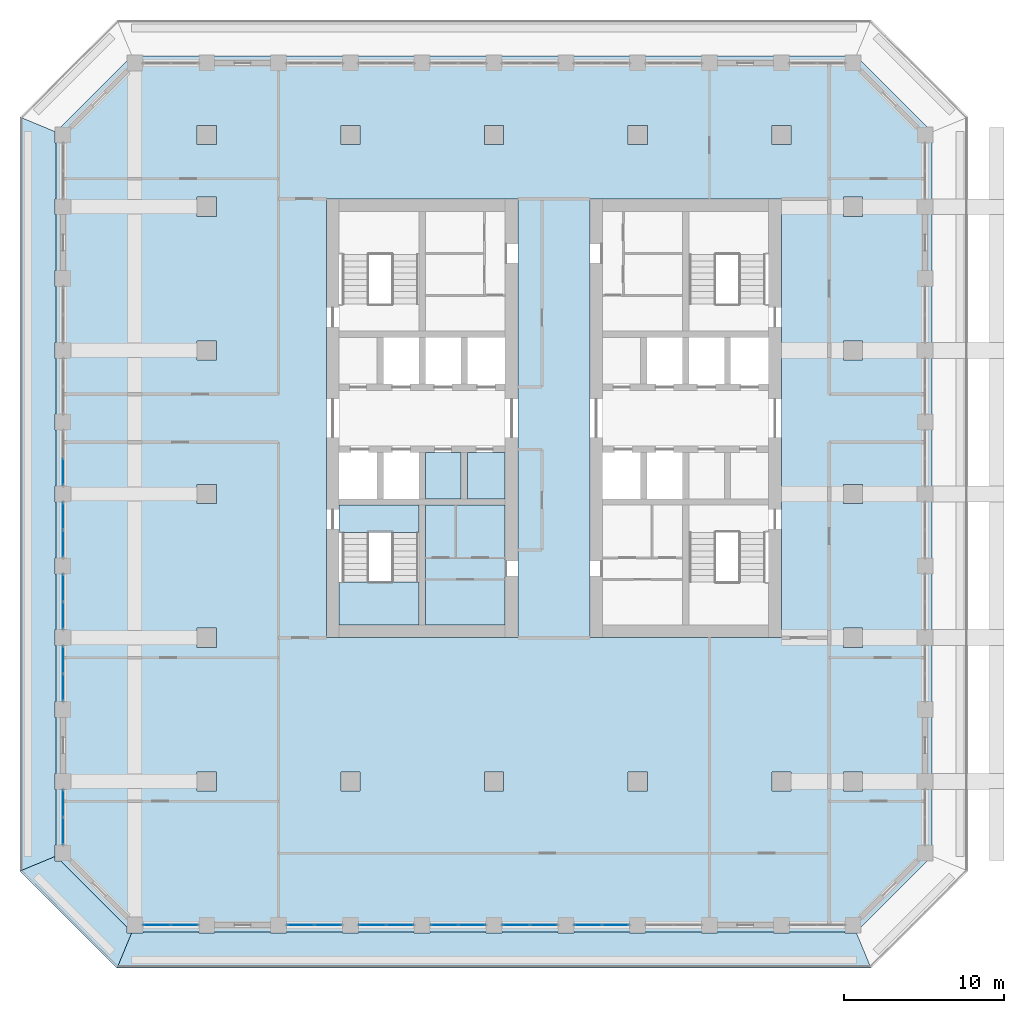
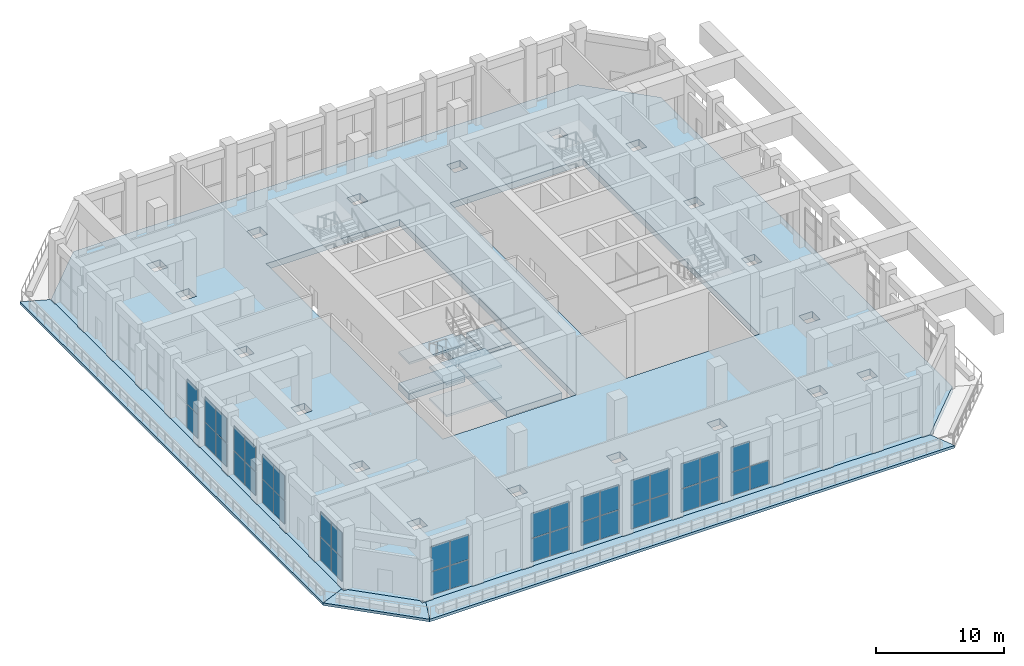
# One storey, part 10 of 25: 41 plates, 11 slabs, 12 elements without a shape of their own.
"""IFC4 building model written with IfcOpenShell, lengths in metres."""

from ifc_helpers import new_model, si_unit, direction, frame, origin, origin_2d, place, context, subcontext, project, spatial, polyline, rectangle, outline, extrude, material, layer, layer_set, type_object, element, aggregate, save


model = new_model("IFC4")

# Units and contexts
model_context = context("Model", 3, precision=1e-05, world=origin(), true_north=direction((0.0, 1.0)))
body_context = subcontext(model_context, "Body", "Model", "MODEL_VIEW")
ifc_project = project(units=[si_unit("LENGTHUNIT", "METRE"), si_unit("AREAUNIT", "SQUARE_METRE"), si_unit("VOLUMEUNIT", "CUBIC_METRE"), si_unit("PLANEANGLEUNIT", "RADIAN"), si_unit("MASSUNIT", "GRAM", prefix="KILO")], contexts=[model_context])

# Site, building, storey
site_placement = place(None, origin())
site = spatial("IfcSite", under=ifc_project, at=site_placement, CompositionType="ELEMENT")
building_placement = place(site_placement, origin())
building = spatial("IfcBuilding", under=site, at=building_placement, Name="Corbel Stack Research Tower", CompositionType="ELEMENT")
storey_placement = place(building_placement, frame((0.0, 0.0, 185.5)))
storey = spatial("IfcBuildingStorey", under=building, at=storey_placement, Name="L42", CompositionType="ELEMENT", Elevation=185.5)

# Curtain wall, plates
ifc_material_1 = material(Name="Aluminium frame, clear glass", Category="aluminium")
curtain_wall_type = type_object("IfcCurtainWallType", Name="Upper amenity floor curtain wall CW3", PredefinedType="NOTDEFINED", material=ifc_material_1)
curtain_wall_1_placement = place(storey_placement, origin())
curtain_wall_1 = element("IfcCurtainWall", 1, at=curtain_wall_1_placement, inside=storey, type_object=curtain_wall_type, Name="Curtain wall CW3 L42 S01", PredefinedType="NOTDEFINED")
ifc_material_2 = material(Name="Low-emissivity glass", Category="glass")
ifc_layer_1 = layer(ifc_material_2, 0.035888671875)
ifc_layer_set_1 = layer_set([ifc_layer_1], Name="Low-emissivity glass")
plate_type = type_object("IfcPlateType", Name="Low-emissivity glazing 36", PredefinedType="CURTAIN_PANEL", material=ifc_layer_set_1)
plate_1_placement = place(storey_placement, frame((-21.110107421875, -27.0, 0.06005859375), z_axis=(0.0, 0.0, 1.0), x_axis=(1.0, 0.0, 0.0)))
plate_1 = element("IfcPlate", 2, at=plate_1_placement, type_object=plate_type, Name="CW3 panel 1.1", PredefinedType="CURTAIN_PANEL", context=body_context, shape_type="SweptSolid", body=[
    extrude(rectangle(XDim=1.659912109375, YDim=0.035888671875, at=origin_2d()), origin(), (0.0, 0.0, 1.0), 2.2099609375),
])
plate_2_placement = place(storey_placement, frame((-21.110107421875, -27.0, 2.330078125), z_axis=(0.0, 0.0, 1.0), x_axis=(1.0, 0.0, 0.0)))
plate_2 = element("IfcPlate", 3, at=plate_2_placement, type_object=plate_type, Name="CW3 panel 1.2", PredefinedType="CURTAIN_PANEL", context=body_context, shape_type="SweptSolid", body=[
    extrude(rectangle(XDim=1.659912109375, YDim=0.035888671875, at=origin_2d()), origin(), (0.0, 0.0, 1.0), 2.360107421875),
])
plate_3_placement = place(storey_placement, frame((-19.389892578125, -27.0, 0.06005859375), z_axis=(0.0, 0.0, 1.0), x_axis=(1.0, 0.0, 0.0)))
plate_3 = element("IfcPlate", 4, at=plate_3_placement, type_object=plate_type, Name="CW3 panel 2.1", PredefinedType="CURTAIN_PANEL", context=body_context, shape_type="SweptSolid", body=[
    extrude(rectangle(XDim=1.659912109375, YDim=0.035888671875, at=origin_2d()), origin(), (0.0, 0.0, 1.0), 2.2099609375),
])
plate_4_placement = place(storey_placement, frame((-19.389892578125, -27.0, 2.330078125), z_axis=(0.0, 0.0, 1.0), x_axis=(1.0, 0.0, 0.0)))
plate_4 = element("IfcPlate", 5, at=plate_4_placement, type_object=plate_type, Name="CW3 panel 2.2", PredefinedType="CURTAIN_PANEL", context=body_context, shape_type="SweptSolid", body=[
    extrude(rectangle(XDim=1.659912109375, YDim=0.035888671875, at=origin_2d()), origin(), (0.0, 0.0, 1.0), 2.360107421875),
])
aggregate(curtain_wall_1, [plate_1, plate_2, plate_3, plate_4])

curtain_wall_2_placement = place(storey_placement, origin())
curtain_wall_2 = element("IfcCurtainWall", 6, at=curtain_wall_2_placement, inside=storey, type_object=curtain_wall_type, Name="Curtain wall CW3 L42 S03", PredefinedType="NOTDEFINED")
plate_5_placement = place(storey_placement, frame((-12.110107421875, -27.0, 0.06005859375), z_axis=(0.0, 0.0, 1.0), x_axis=(1.0, 0.0, 0.0)))
plate_5 = element("IfcPlate", 7, at=plate_5_placement, type_object=plate_type, Name="CW3 panel 1.1", PredefinedType="CURTAIN_PANEL", context=body_context, shape_type="SweptSolid", body=[
    extrude(rectangle(XDim=1.659912109375, YDim=0.035888671875, at=origin_2d()), origin(), (0.0, 0.0, 1.0), 2.2099609375),
])
plate_6_placement = place(storey_placement, frame((-12.110107421875, -27.0, 2.330078125), z_axis=(0.0, 0.0, 1.0), x_axis=(1.0, 0.0, 0.0)))
plate_6 = element("IfcPlate", 8, at=plate_6_placement, type_object=plate_type, Name="CW3 panel 1.2", PredefinedType="CURTAIN_PANEL", context=body_context, shape_type="SweptSolid", body=[
    extrude(rectangle(XDim=1.659912109375, YDim=0.035888671875, at=origin_2d()), origin(), (0.0, 0.0, 1.0), 2.360107421875),
])
plate_7_placement = place(storey_placement, frame((-10.389892578125, -27.0, 0.06005859375), z_axis=(0.0, 0.0, 1.0), x_axis=(1.0, 0.0, 0.0)))
plate_7 = element("IfcPlate", 9, at=plate_7_placement, type_object=plate_type, Name="CW3 panel 2.1", PredefinedType="CURTAIN_PANEL", context=body_context, shape_type="SweptSolid", body=[
    extrude(rectangle(XDim=1.659912109375, YDim=0.035888671875, at=origin_2d()), origin(), (0.0, 0.0, 1.0), 2.2099609375),
])
plate_8_placement = place(storey_placement, frame((-10.389892578125, -27.0, 2.330078125), z_axis=(0.0, 0.0, 1.0), x_axis=(1.0, 0.0, 0.0)))
plate_8 = element("IfcPlate", 10, at=plate_8_placement, type_object=plate_type, Name="CW3 panel 2.2", PredefinedType="CURTAIN_PANEL", context=body_context, shape_type="SweptSolid", body=[
    extrude(rectangle(XDim=1.659912109375, YDim=0.035888671875, at=origin_2d()), origin(), (0.0, 0.0, 1.0), 2.360107421875),
])
aggregate(curtain_wall_2, [plate_5, plate_6, plate_7, plate_8])

curtain_wall_3_placement = place(storey_placement, origin())
curtain_wall_3 = element("IfcCurtainWall", 11, at=curtain_wall_3_placement, inside=storey, type_object=curtain_wall_type, Name="Curtain wall CW3 L42 S04", PredefinedType="NOTDEFINED")
plate_9_placement = place(storey_placement, frame((-7.610107421875, -27.0, 0.06005859375), z_axis=(0.0, 0.0, 1.0), x_axis=(1.0, 0.0, 0.0)))
plate_9 = element("IfcPlate", 12, at=plate_9_placement, type_object=plate_type, Name="CW3 panel 1.1", PredefinedType="CURTAIN_PANEL", context=body_context, shape_type="SweptSolid", body=[
    extrude(rectangle(XDim=1.659912109375, YDim=0.035888671875, at=origin_2d()), origin(), (0.0, 0.0, 1.0), 2.2099609375),
])
plate_10_placement = place(storey_placement, frame((-7.610107421875, -27.0, 2.330078125), z_axis=(0.0, 0.0, 1.0), x_axis=(1.0, 0.0, 0.0)))
plate_10 = element("IfcPlate", 13, at=plate_10_placement, type_object=plate_type, Name="CW3 panel 1.2", PredefinedType="CURTAIN_PANEL", context=body_context, shape_type="SweptSolid", body=[
    extrude(rectangle(XDim=1.659912109375, YDim=0.035888671875, at=origin_2d()), origin(), (0.0, 0.0, 1.0), 2.360107421875),
])
plate_11_placement = place(storey_placement, frame((-5.889892578125, -27.0, 0.06005859375), z_axis=(0.0, 0.0, 1.0), x_axis=(1.0, 0.0, 0.0)))
plate_11 = element("IfcPlate", 14, at=plate_11_placement, type_object=plate_type, Name="CW3 panel 2.1", PredefinedType="CURTAIN_PANEL", context=body_context, shape_type="SweptSolid", body=[
    extrude(rectangle(XDim=1.659912109375, YDim=0.035888671875, at=origin_2d()), origin(), (0.0, 0.0, 1.0), 2.2099609375),
])
plate_12_placement = place(storey_placement, frame((-5.889892578125, -27.0, 2.330078125), z_axis=(0.0, 0.0, 1.0), x_axis=(1.0, 0.0, 0.0)))
plate_12 = element("IfcPlate", 15, at=plate_12_placement, type_object=plate_type, Name="CW3 panel 2.2", PredefinedType="CURTAIN_PANEL", context=body_context, shape_type="SweptSolid", body=[
    extrude(rectangle(XDim=1.659912109375, YDim=0.035888671875, at=origin_2d()), origin(), (0.0, 0.0, 1.0), 2.360107421875),
])
aggregate(curtain_wall_3, [plate_9, plate_10, plate_11, plate_12])

curtain_wall_4_placement = place(storey_placement, origin())
curtain_wall_4 = element("IfcCurtainWall", 16, at=curtain_wall_4_placement, inside=storey, type_object=curtain_wall_type, Name="Curtain wall CW3 L42 S05", PredefinedType="NOTDEFINED")
plate_13_placement = place(storey_placement, frame((-3.110107421875, -27.0, 0.06005859375), z_axis=(0.0, 0.0, 1.0), x_axis=(1.0, 0.0, 0.0)))
plate_13 = element("IfcPlate", 17, at=plate_13_placement, type_object=plate_type, Name="CW3 panel 1.1", PredefinedType="CURTAIN_PANEL", context=body_context, shape_type="SweptSolid", body=[
    extrude(rectangle(XDim=1.659912109375, YDim=0.035888671875, at=origin_2d()), origin(), (0.0, 0.0, 1.0), 2.2099609375),
])
plate_14_placement = place(storey_placement, frame((-3.110107421875, -27.0, 2.330078125), z_axis=(0.0, 0.0, 1.0), x_axis=(1.0, 0.0, 0.0)))
plate_14 = element("IfcPlate", 18, at=plate_14_placement, type_object=plate_type, Name="CW3 panel 1.2", PredefinedType="CURTAIN_PANEL", context=body_context, shape_type="SweptSolid", body=[
    extrude(rectangle(XDim=1.659912109375, YDim=0.035888671875, at=origin_2d()), origin(), (0.0, 0.0, 1.0), 2.360107421875),
])
plate_15_placement = place(storey_placement, frame((-1.389892578125, -27.0, 0.06005859375), z_axis=(0.0, 0.0, 1.0), x_axis=(1.0, 0.0, 0.0)))
plate_15 = element("IfcPlate", 19, at=plate_15_placement, type_object=plate_type, Name="CW3 panel 2.1", PredefinedType="CURTAIN_PANEL", context=body_context, shape_type="SweptSolid", body=[
    extrude(rectangle(XDim=1.659912109375, YDim=0.035888671875, at=origin_2d()), origin(), (0.0, 0.0, 1.0), 2.2099609375),
])
plate_16_placement = place(storey_placement, frame((-1.389892578125, -27.0, 2.330078125), z_axis=(0.0, 0.0, 1.0), x_axis=(1.0, 0.0, 0.0)))
plate_16 = element("IfcPlate", 20, at=plate_16_placement, type_object=plate_type, Name="CW3 panel 2.2", PredefinedType="CURTAIN_PANEL", context=body_context, shape_type="SweptSolid", body=[
    extrude(rectangle(XDim=1.659912109375, YDim=0.035888671875, at=origin_2d()), origin(), (0.0, 0.0, 1.0), 2.360107421875),
])
aggregate(curtain_wall_4, [plate_13, plate_14, plate_15, plate_16])

curtain_wall_5_placement = place(storey_placement, origin())
curtain_wall_5 = element("IfcCurtainWall", 21, at=curtain_wall_5_placement, inside=storey, type_object=curtain_wall_type, Name="Curtain wall CW3 L42 S06", PredefinedType="NOTDEFINED")
plate_17_placement = place(storey_placement, frame((1.389892578125, -27.0, 0.06005859375), z_axis=(0.0, 0.0, 1.0), x_axis=(1.0, 0.0, 0.0)))
plate_17 = element("IfcPlate", 22, at=plate_17_placement, type_object=plate_type, Name="CW3 panel 1.1", PredefinedType="CURTAIN_PANEL", context=body_context, shape_type="SweptSolid", body=[
    extrude(rectangle(XDim=1.659912109375, YDim=0.035888671875, at=origin_2d()), origin(), (0.0, 0.0, 1.0), 2.2099609375),
])
plate_18_placement = place(storey_placement, frame((1.389892578125, -27.0, 2.330078125), z_axis=(0.0, 0.0, 1.0), x_axis=(1.0, 0.0, 0.0)))
plate_18 = element("IfcPlate", 23, at=plate_18_placement, type_object=plate_type, Name="CW3 panel 1.2", PredefinedType="CURTAIN_PANEL", context=body_context, shape_type="SweptSolid", body=[
    extrude(rectangle(XDim=1.659912109375, YDim=0.035888671875, at=origin_2d()), origin(), (0.0, 0.0, 1.0), 2.360107421875),
])
plate_19_placement = place(storey_placement, frame((3.110107421875, -27.0, 0.06005859375), z_axis=(0.0, 0.0, 1.0), x_axis=(1.0, 0.0, 0.0)))
plate_19 = element("IfcPlate", 24, at=plate_19_placement, type_object=plate_type, Name="CW3 panel 2.1", PredefinedType="CURTAIN_PANEL", context=body_context, shape_type="SweptSolid", body=[
    extrude(rectangle(XDim=1.659912109375, YDim=0.035888671875, at=origin_2d()), origin(), (0.0, 0.0, 1.0), 2.2099609375),
])
plate_20_placement = place(storey_placement, frame((3.110107421875, -27.0, 2.330078125), z_axis=(0.0, 0.0, 1.0), x_axis=(1.0, 0.0, 0.0)))
plate_20 = element("IfcPlate", 25, at=plate_20_placement, type_object=plate_type, Name="CW3 panel 2.2", PredefinedType="CURTAIN_PANEL", context=body_context, shape_type="SweptSolid", body=[
    extrude(rectangle(XDim=1.659912109375, YDim=0.035888671875, at=origin_2d()), origin(), (0.0, 0.0, 1.0), 2.360107421875),
])
aggregate(curtain_wall_5, [plate_17, plate_18, plate_19, plate_20])

curtain_wall_6_placement = place(storey_placement, origin())
curtain_wall_6 = element("IfcCurtainWall", 26, at=curtain_wall_6_placement, inside=storey, type_object=curtain_wall_type, Name="Curtain wall CW3 L42 S07", PredefinedType="NOTDEFINED")
plate_21_placement = place(storey_placement, frame((5.889892578125, -27.0, 0.06005859375), z_axis=(0.0, 0.0, 1.0), x_axis=(1.0, 0.0, 0.0)))
plate_21 = element("IfcPlate", 27, at=plate_21_placement, type_object=plate_type, Name="CW3 panel 1.1", PredefinedType="CURTAIN_PANEL", context=body_context, shape_type="SweptSolid", body=[
    extrude(rectangle(XDim=1.659912109375, YDim=0.035888671875, at=origin_2d()), origin(), (0.0, 0.0, 1.0), 2.2099609375),
])
plate_22_placement = place(storey_placement, frame((5.889892578125, -27.0, 2.330078125), z_axis=(0.0, 0.0, 1.0), x_axis=(1.0, 0.0, 0.0)))
plate_22 = element("IfcPlate", 28, at=plate_22_placement, type_object=plate_type, Name="CW3 panel 1.2", PredefinedType="CURTAIN_PANEL", context=body_context, shape_type="SweptSolid", body=[
    extrude(rectangle(XDim=1.659912109375, YDim=0.035888671875, at=origin_2d()), origin(), (0.0, 0.0, 1.0), 2.360107421875),
])
plate_23_placement = place(storey_placement, frame((7.610107421875, -27.0, 0.06005859375), z_axis=(0.0, 0.0, 1.0), x_axis=(1.0, 0.0, 0.0)))
plate_23 = element("IfcPlate", 29, at=plate_23_placement, type_object=plate_type, Name="CW3 panel 2.1", PredefinedType="CURTAIN_PANEL", context=body_context, shape_type="SweptSolid", body=[
    extrude(rectangle(XDim=1.659912109375, YDim=0.035888671875, at=origin_2d()), origin(), (0.0, 0.0, 1.0), 2.2099609375),
])
aggregate(curtain_wall_6, [plate_21, plate_22, plate_23])

curtain_wall_7_placement = place(storey_placement, origin())
curtain_wall_7 = element("IfcCurtainWall", 30, at=curtain_wall_7_placement, inside=storey, type_object=curtain_wall_type, Name="Curtain wall CW3 L42 W05", PredefinedType="NOTDEFINED")
plate_24_placement = place(storey_placement, frame((-27.0, 1.389892578125, 0.06005859375), z_axis=(0.0, 0.0, 1.0), x_axis=(0.0, -1.0, 0.0)))
plate_24 = element("IfcPlate", 31, at=plate_24_placement, type_object=plate_type, Name="CW3 panel 2.1", PredefinedType="CURTAIN_PANEL", context=body_context, shape_type="SweptSolid", body=[
    extrude(rectangle(XDim=1.659912109375, YDim=0.035888671875, at=origin_2d()), origin(), (0.0, 0.0, 1.0), 2.2099609375),
])
plate_25_placement = place(storey_placement, frame((-27.0, 1.389892578125, 2.330078125), z_axis=(0.0, 0.0, 1.0), x_axis=(0.0, -1.0, 0.0)))
plate_25 = element("IfcPlate", 32, at=plate_25_placement, type_object=plate_type, Name="CW3 panel 2.2", PredefinedType="CURTAIN_PANEL", context=body_context, shape_type="SweptSolid", body=[
    extrude(rectangle(XDim=1.659912109375, YDim=0.035888671875, at=origin_2d()), origin(), (0.0, 0.0, 1.0), 2.360107421875),
])
aggregate(curtain_wall_7, [plate_24, plate_25])

curtain_wall_8_placement = place(storey_placement, origin())
curtain_wall_8 = element("IfcCurtainWall", 33, at=curtain_wall_8_placement, inside=storey, type_object=curtain_wall_type, Name="Curtain wall CW3 L42 W06", PredefinedType="NOTDEFINED")
plate_26_placement = place(storey_placement, frame((-27.0, -1.389892578125, 0.06005859375), z_axis=(0.0, 0.0, 1.0), x_axis=(0.0, -1.0, 0.0)))
plate_26 = element("IfcPlate", 34, at=plate_26_placement, type_object=plate_type, Name="CW3 panel 1.1", PredefinedType="CURTAIN_PANEL", context=body_context, shape_type="SweptSolid", body=[
    extrude(rectangle(XDim=1.659912109375, YDim=0.035888671875, at=origin_2d()), origin(), (0.0, 0.0, 1.0), 2.2099609375),
])
plate_27_placement = place(storey_placement, frame((-27.0, -1.389892578125, 2.330078125), z_axis=(0.0, 0.0, 1.0), x_axis=(0.0, -1.0, 0.0)))
plate_27 = element("IfcPlate", 35, at=plate_27_placement, type_object=plate_type, Name="CW3 panel 1.2", PredefinedType="CURTAIN_PANEL", context=body_context, shape_type="SweptSolid", body=[
    extrude(rectangle(XDim=1.659912109375, YDim=0.035888671875, at=origin_2d()), origin(), (0.0, 0.0, 1.0), 2.360107421875),
])
plate_28_placement = place(storey_placement, frame((-27.0, -3.110107421875, 0.06005859375), z_axis=(0.0, 0.0, 1.0), x_axis=(0.0, -1.0, 0.0)))
plate_28 = element("IfcPlate", 36, at=plate_28_placement, type_object=plate_type, Name="CW3 panel 2.1", PredefinedType="CURTAIN_PANEL", context=body_context, shape_type="SweptSolid", body=[
    extrude(rectangle(XDim=1.659912109375, YDim=0.035888671875, at=origin_2d()), origin(), (0.0, 0.0, 1.0), 2.2099609375),
])
plate_29_placement = place(storey_placement, frame((-27.0, -3.110107421875, 2.330078125), z_axis=(0.0, 0.0, 1.0), x_axis=(0.0, -1.0, 0.0)))
plate_29 = element("IfcPlate", 37, at=plate_29_placement, type_object=plate_type, Name="CW3 panel 2.2", PredefinedType="CURTAIN_PANEL", context=body_context, shape_type="SweptSolid", body=[
    extrude(rectangle(XDim=1.659912109375, YDim=0.035888671875, at=origin_2d()), origin(), (0.0, 0.0, 1.0), 2.360107421875),
])
aggregate(curtain_wall_8, [plate_26, plate_27, plate_28, plate_29])

curtain_wall_9_placement = place(storey_placement, origin())
curtain_wall_9 = element("IfcCurtainWall", 38, at=curtain_wall_9_placement, inside=storey, type_object=curtain_wall_type, Name="Curtain wall CW3 L42 W07", PredefinedType="NOTDEFINED")
plate_30_placement = place(storey_placement, frame((-27.0, -5.889892578125, 0.06005859375), z_axis=(0.0, 0.0, 1.0), x_axis=(0.0, -1.0, 0.0)))
plate_30 = element("IfcPlate", 39, at=plate_30_placement, type_object=plate_type, Name="CW3 panel 1.1", PredefinedType="CURTAIN_PANEL", context=body_context, shape_type="SweptSolid", body=[
    extrude(rectangle(XDim=1.659912109375, YDim=0.035888671875, at=origin_2d()), origin(), (0.0, 0.0, 1.0), 2.2099609375),
])
plate_31_placement = place(storey_placement, frame((-27.0, -5.889892578125, 2.330078125), z_axis=(0.0, 0.0, 1.0), x_axis=(0.0, -1.0, 0.0)))
plate_31 = element("IfcPlate", 40, at=plate_31_placement, type_object=plate_type, Name="CW3 panel 1.2", PredefinedType="CURTAIN_PANEL", context=body_context, shape_type="SweptSolid", body=[
    extrude(rectangle(XDim=1.659912109375, YDim=0.035888671875, at=origin_2d()), origin(), (0.0, 0.0, 1.0), 2.360107421875),
])
plate_32_placement = place(storey_placement, frame((-27.0, -7.610107421875, 0.06005859375), z_axis=(0.0, 0.0, 1.0), x_axis=(0.0, -1.0, 0.0)))
plate_32 = element("IfcPlate", 41, at=plate_32_placement, type_object=plate_type, Name="CW3 panel 2.1", PredefinedType="CURTAIN_PANEL", context=body_context, shape_type="SweptSolid", body=[
    extrude(rectangle(XDim=1.659912109375, YDim=0.035888671875, at=origin_2d()), origin(), (0.0, 0.0, 1.0), 2.2099609375),
])
plate_33_placement = place(storey_placement, frame((-27.0, -7.610107421875, 2.330078125), z_axis=(0.0, 0.0, 1.0), x_axis=(0.0, -1.0, 0.0)))
plate_33 = element("IfcPlate", 42, at=plate_33_placement, type_object=plate_type, Name="CW3 panel 2.2", PredefinedType="CURTAIN_PANEL", context=body_context, shape_type="SweptSolid", body=[
    extrude(rectangle(XDim=1.659912109375, YDim=0.035888671875, at=origin_2d()), origin(), (0.0, 0.0, 1.0), 2.360107421875),
])
aggregate(curtain_wall_9, [plate_30, plate_31, plate_32, plate_33])

curtain_wall_10_placement = place(storey_placement, origin())
curtain_wall_10 = element("IfcCurtainWall", 43, at=curtain_wall_10_placement, inside=storey, type_object=curtain_wall_type, Name="Curtain wall CW3 L42 W08", PredefinedType="NOTDEFINED")
plate_34_placement = place(storey_placement, frame((-27.0, -10.389892578125, 0.06005859375), z_axis=(0.0, 0.0, 1.0), x_axis=(0.0, -1.0, 0.0)))
plate_34 = element("IfcPlate", 44, at=plate_34_placement, type_object=plate_type, Name="CW3 panel 1.1", PredefinedType="CURTAIN_PANEL", context=body_context, shape_type="SweptSolid", body=[
    extrude(rectangle(XDim=1.659912109375, YDim=0.035888671875, at=origin_2d()), origin(), (0.0, 0.0, 1.0), 2.2099609375),
])
plate_35_placement = place(storey_placement, frame((-27.0, -10.389892578125, 2.330078125), z_axis=(0.0, 0.0, 1.0), x_axis=(0.0, -1.0, 0.0)))
plate_35 = element("IfcPlate", 45, at=plate_35_placement, type_object=plate_type, Name="CW3 panel 1.2", PredefinedType="CURTAIN_PANEL", context=body_context, shape_type="SweptSolid", body=[
    extrude(rectangle(XDim=1.659912109375, YDim=0.035888671875, at=origin_2d()), origin(), (0.0, 0.0, 1.0), 2.360107421875),
])
plate_36_placement = place(storey_placement, frame((-27.0, -12.110107421875, 0.06005859375), z_axis=(0.0, 0.0, 1.0), x_axis=(0.0, -1.0, 0.0)))
plate_36 = element("IfcPlate", 46, at=plate_36_placement, type_object=plate_type, Name="CW3 panel 2.1", PredefinedType="CURTAIN_PANEL", context=body_context, shape_type="SweptSolid", body=[
    extrude(rectangle(XDim=1.659912109375, YDim=0.035888671875, at=origin_2d()), origin(), (0.0, 0.0, 1.0), 2.2099609375),
])
plate_37_placement = place(storey_placement, frame((-27.0, -12.110107421875, 2.330078125), z_axis=(0.0, 0.0, 1.0), x_axis=(0.0, -1.0, 0.0)))
plate_37 = element("IfcPlate", 47, at=plate_37_placement, type_object=plate_type, Name="CW3 panel 2.2", PredefinedType="CURTAIN_PANEL", context=body_context, shape_type="SweptSolid", body=[
    extrude(rectangle(XDim=1.659912109375, YDim=0.035888671875, at=origin_2d()), origin(), (0.0, 0.0, 1.0), 2.360107421875),
])
aggregate(curtain_wall_10, [plate_34, plate_35, plate_36, plate_37])

curtain_wall_11_placement = place(storey_placement, origin())
curtain_wall_11 = element("IfcCurtainWall", 48, at=curtain_wall_11_placement, inside=storey, type_object=curtain_wall_type, Name="Curtain wall CW3 L42 W10", PredefinedType="NOTDEFINED")
plate_38_placement = place(storey_placement, frame((-27.0, -19.389892578125, 0.06005859375), z_axis=(0.0, 0.0, 1.0), x_axis=(0.0, -1.0, 0.0)))
plate_38 = element("IfcPlate", 49, at=plate_38_placement, type_object=plate_type, Name="CW3 panel 1.1", PredefinedType="CURTAIN_PANEL", context=body_context, shape_type="SweptSolid", body=[
    extrude(rectangle(XDim=1.659912109375, YDim=0.035888671875, at=origin_2d()), origin(), (0.0, 0.0, 1.0), 2.2099609375),
])
plate_39_placement = place(storey_placement, frame((-27.0, -19.389892578125, 2.330078125), z_axis=(0.0, 0.0, 1.0), x_axis=(0.0, -1.0, 0.0)))
plate_39 = element("IfcPlate", 50, at=plate_39_placement, type_object=plate_type, Name="CW3 panel 1.2", PredefinedType="CURTAIN_PANEL", context=body_context, shape_type="SweptSolid", body=[
    extrude(rectangle(XDim=1.659912109375, YDim=0.035888671875, at=origin_2d()), origin(), (0.0, 0.0, 1.0), 2.360107421875),
])
plate_40_placement = place(storey_placement, frame((-27.0, -21.110107421875, 0.06005859375), z_axis=(0.0, 0.0, 1.0), x_axis=(0.0, -1.0, 0.0)))
plate_40 = element("IfcPlate", 51, at=plate_40_placement, type_object=plate_type, Name="CW3 panel 2.1", PredefinedType="CURTAIN_PANEL", context=body_context, shape_type="SweptSolid", body=[
    extrude(rectangle(XDim=1.659912109375, YDim=0.035888671875, at=origin_2d()), origin(), (0.0, 0.0, 1.0), 2.2099609375),
])
plate_41_placement = place(storey_placement, frame((-27.0, -21.110107421875, 2.330078125), z_axis=(0.0, 0.0, 1.0), x_axis=(0.0, -1.0, 0.0)))
plate_41 = element("IfcPlate", 52, at=plate_41_placement, type_object=plate_type, Name="CW3 panel 2.2", PredefinedType="CURTAIN_PANEL", context=body_context, shape_type="SweptSolid", body=[
    extrude(rectangle(XDim=1.659912109375, YDim=0.035888671875, at=origin_2d()), origin(), (0.0, 0.0, 1.0), 2.360107421875),
])
aggregate(curtain_wall_11, [plate_38, plate_39, plate_40, plate_41])

# Slabs
ifc_material_3 = material(Name="Concrete C45/55", Category="concrete")
ifc_layer_2 = layer(ifc_material_3, 0.25)
ifc_layer_set_2 = layer_set([ifc_layer_2], Name="Concrete C45/55")
slab_type_1 = type_object("IfcSlabType", Name="PT balcony slab 250 C45/55", PredefinedType="FLOOR", material=ifc_layer_set_2)
slab_1_placement = place(storey_placement, frame((0.0, 0.0, -0.25)))
element("IfcSlab", 53, at=slab_1_placement, inside=storey, type_object=slab_type_1, Name="Loggia slab L42 S", PredefinedType="FLOOR", context=body_context, shape_type="SweptSolid", body=[
    extrude(outline(polyline([(22.70703125, -27.5), (22.0, -27.5), (22.0, -27.449951171875), (18.5, -27.449951171875), (18.5, -27.5), (17.5, -27.5), (17.5, -27.449951171875), (14.0, -27.449951171875), (14.0, -27.5), (13.0, -27.5), (13.0, -27.449951171875), (9.5, -27.449951171875), (9.5, -27.5), (8.5, -27.5), (8.5, -27.449951171875), (5.0, -27.449951171875), (5.0, -27.5), (4.0, -27.5), (4.0, -27.449951171875), (0.5, -27.449951171875), (0.5, -27.5), (-0.5, -27.5), (-0.5, -27.449951171875), (-4.0, -27.449951171875), (-4.0, -27.5), (-5.0, -27.5), (-5.0, -27.449951171875), (-8.5, -27.449951171875), (-8.5, -27.5), (-9.5, -27.5), (-9.5, -27.449951171875), (-13.0, -27.449951171875), (-13.0, -27.5), (-14.0, -27.5), (-14.0, -27.449951171875), (-17.5, -27.449951171875), (-17.5, -27.5), (-18.5, -27.5), (-18.5, -27.449951171875), (-22.0, -27.449951171875), (-22.0, -27.5), (-22.70703125, -27.5), (-23.618408203125, -29.699951171875), (23.618408203125, -29.699951171875), (22.70703125, -27.5)])), origin(), (0.0, 0.0, 1.0), 0.25),
])
slab_2_placement = place(storey_placement, frame((0.0, 0.0, -0.25)))
element("IfcSlab", 54, at=slab_2_placement, inside=storey, type_object=slab_type_1, Name="Loggia slab L42 W", PredefinedType="FLOOR", context=body_context, shape_type="SweptSolid", body=[
    extrude(outline(polyline([(-27.5, -22.70703125), (-27.5, -22.0), (-27.449951171875, -22.0), (-27.449951171875, -18.5), (-27.5, -18.5), (-27.5, -17.5), (-27.449951171875, -17.5), (-27.449951171875, -14.0), (-27.5, -14.0), (-27.5, -13.0), (-27.449951171875, -13.0), (-27.449951171875, -9.5), (-27.5, -9.5), (-27.5, -8.5), (-27.449951171875, -8.5), (-27.449951171875, -5.0), (-27.5, -5.0), (-27.5, -4.0), (-27.449951171875, -4.0), (-27.449951171875, -0.5), (-27.5, -0.5), (-27.5, 0.5), (-27.449951171875, 0.5), (-27.449951171875, 4.0), (-27.5, 4.0), (-27.5, 5.0), (-27.449951171875, 5.0), (-27.449951171875, 8.5), (-27.5, 8.5), (-27.5, 9.5), (-27.449951171875, 9.5), (-27.449951171875, 13.0), (-27.5, 13.0), (-27.5, 14.0), (-27.449951171875, 14.0), (-27.449951171875, 17.5), (-27.5, 17.5), (-27.5, 18.5), (-27.449951171875, 18.5), (-27.449951171875, 22.0), (-27.5, 22.0), (-27.5, 22.70703125), (-29.699951171875, 23.618408203125), (-29.699951171875, -23.618408203125), (-27.5, -22.70703125)])), origin(), (0.0, 0.0, 1.0), 0.25),
])
slab_3_placement = place(storey_placement, frame((0.0, 0.0, -0.25)))
element("IfcSlab", 55, at=slab_3_placement, inside=storey, type_object=slab_type_1, Name="Loggia slab L42 SW", PredefinedType="FLOOR", context=body_context, shape_type="SweptSolid", body=[
    extrude(outline(polyline([(-22.70703125, -27.5), (-23.0, -27.5), (-23.0, -27.136474609375), (-27.136474609375, -23.0), (-27.5, -23.0), (-27.5, -22.70703125), (-29.699951171875, -23.618408203125), (-23.618408203125, -29.699951171875), (-22.70703125, -27.5)])), origin(), (0.0, 0.0, 1.0), 0.25),
])
ifc_material_4 = material(Name="Concrete C45/55", Category="concrete")
ifc_layer_3 = layer(ifc_material_4, 0.60009765625)
ifc_layer_set_3 = layer_set([ifc_layer_3], Name="Concrete C45/55")
slab_type_2 = type_object("IfcSlabType", Name="PT-600", PredefinedType="FLOOR", material=ifc_layer_set_3)
slab_4_placement = place(storey_placement, frame((0.0, 0.0, -0.60009765625)))
element("IfcSlab", 56, at=slab_4_placement, inside=storey, type_object=slab_type_2, Name="Floor slab L42", PredefinedType="FLOOR", context=body_context, shape_type="SweptSolid", body=[
    extrude(outline(polyline([(-22.686279296875, -27.449951171875), (22.686279296875, -27.449951171875), (27.449951171875, -22.686279296875), (27.449951171875, 22.686279296875), (22.686279296875, 27.449951171875), (-22.686279296875, 27.449951171875), (-27.449951171875, 22.686279296875), (-27.449951171875, -22.686279296875), (-22.686279296875, -27.449951171875)]), holes=[polyline([(23.10009765625, 17.39990234375), (21.89990234375, 17.39990234375), (21.89990234375, 18.60009765625), (23.10009765625, 18.60009765625), (23.10009765625, 17.39990234375)]), polyline([(21.89990234375, 8.39990234375), (21.89990234375, 9.60009765625), (23.10009765625, 9.60009765625), (23.10009765625, 8.39990234375), (21.89990234375, 8.39990234375)]), polyline([(23.10009765625, -0.60009765625), (21.89990234375, -0.60009765625), (21.89990234375, 0.60009765625), (23.10009765625, 0.60009765625), (23.10009765625, -0.60009765625)]), polyline([(21.89990234375, -9.60009765625), (21.89990234375, -8.39990234375), (23.10009765625, -8.39990234375), (23.10009765625, -9.60009765625), (21.89990234375, -9.60009765625)]), polyline([(21.89990234375, -18.60009765625), (21.89990234375, -17.39990234375), (23.10009765625, -17.39990234375), (23.10009765625, -18.60009765625), (21.89990234375, -18.60009765625)]), polyline([(17.39990234375, 21.89990234375), (17.39990234375, 23.10009765625), (18.60009765625, 23.10009765625), (18.60009765625, 21.89990234375), (17.39990234375, 21.89990234375)]), polyline([(18.60009765625, -18.60009765625), (17.39990234375, -18.60009765625), (17.39990234375, -17.39990234375), (18.60009765625, -17.39990234375), (18.60009765625, -18.60009765625)]), polyline([(6.0, -9.0), (6.0, 18.5), (18.0, 18.5), (18.0, -9.0), (6.0, -9.0)]), polyline([(8.39990234375, 21.89990234375), (8.39990234375, 23.10009765625), (9.60009765625, 23.10009765625), (9.60009765625, 21.89990234375), (8.39990234375, 21.89990234375)]), polyline([(9.60009765625, -18.60009765625), (8.39990234375, -18.60009765625), (8.39990234375, -17.39990234375), (9.60009765625, -17.39990234375), (9.60009765625, -18.60009765625)]), polyline([(1.5, -9.0), (-10.5, -9.0), (-10.5, 18.5), (1.5, 18.5), (1.5, -9.0)]), polyline([(0.60009765625, 21.89990234375), (-0.60009765625, 21.89990234375), (-0.60009765625, 23.10009765625), (0.60009765625, 23.10009765625), (0.60009765625, 21.89990234375)]), polyline([(0.60009765625, -18.60009765625), (-0.60009765625, -18.60009765625), (-0.60009765625, -17.39990234375), (0.60009765625, -17.39990234375), (0.60009765625, -18.60009765625)]), polyline([(-9.60009765625, 21.89990234375), (-9.60009765625, 23.10009765625), (-8.39990234375, 23.10009765625), (-8.39990234375, 21.89990234375), (-9.60009765625, 21.89990234375)]), polyline([(-8.39990234375, -18.60009765625), (-9.60009765625, -18.60009765625), (-9.60009765625, -17.39990234375), (-8.39990234375, -17.39990234375), (-8.39990234375, -18.60009765625)]), polyline([(-18.60009765625, 21.89990234375), (-18.60009765625, 23.10009765625), (-17.39990234375, 23.10009765625), (-17.39990234375, 21.89990234375), (-18.60009765625, 21.89990234375)]), polyline([(-17.39990234375, 17.39990234375), (-18.60009765625, 17.39990234375), (-18.60009765625, 18.60009765625), (-17.39990234375, 18.60009765625), (-17.39990234375, 17.39990234375)]), polyline([(-17.39990234375, 8.39990234375), (-18.60009765625, 8.39990234375), (-18.60009765625, 9.60009765625), (-17.39990234375, 9.60009765625), (-17.39990234375, 8.39990234375)]), polyline([(-18.60009765625, -0.60009765625), (-18.60009765625, 0.60009765625), (-17.39990234375, 0.60009765625), (-17.39990234375, -0.60009765625), (-18.60009765625, -0.60009765625)]), polyline([(-18.60009765625, -9.60009765625), (-18.60009765625, -8.39990234375), (-17.39990234375, -8.39990234375), (-17.39990234375, -9.60009765625), (-18.60009765625, -9.60009765625)]), polyline([(-17.39990234375, -18.60009765625), (-18.60009765625, -18.60009765625), (-18.60009765625, -17.39990234375), (-17.39990234375, -17.39990234375), (-17.39990234375, -18.60009765625)])]), origin(), (0.0, 0.0, 1.0), 0.60009765625),
])
slab_5_placement = place(storey_placement, frame((0.0, 0.0, -0.60009765625)))
element("IfcSlab", 57, at=slab_5_placement, inside=storey, type_object=slab_type_2, Name="West core floor L42", PredefinedType="FLOOR", context=body_context, shape_type="SweptSolid", body=[
    extrude(outline(polyline([(-4.300048828125, -0.699951171875), (-4.300048828125, -8.199951171875), (0.699951171875, -8.199951171875), (0.699951171875, -0.699951171875), (-4.300048828125, -0.699951171875)])), origin(), (0.0, 0.0, 1.0), 0.60009765625),
])
slab_6_placement = place(storey_placement, frame((0.0, 0.0, -0.60009765625)))
element("IfcSlab", 58, at=slab_6_placement, inside=storey, type_object=slab_type_2, Name="West core floor L42", PredefinedType="FLOOR", context=body_context, shape_type="SweptSolid", body=[
    extrude(outline(polyline([(-2.074951171875, -0.300048828125), (-2.074951171875, 2.60009765625), (-4.300048828125, 2.60009765625), (-4.300048828125, -0.300048828125), (-2.074951171875, -0.300048828125)])), origin(), (0.0, 0.0, 1.0), 0.60009765625),
])
slab_7_placement = place(storey_placement, frame((0.0, 0.0, -0.60009765625)))
element("IfcSlab", 59, at=slab_7_placement, inside=storey, type_object=slab_type_2, Name="West core floor L42", PredefinedType="FLOOR", context=body_context, shape_type="SweptSolid", body=[
    extrude(outline(polyline([(0.699951171875, -0.300048828125), (0.699951171875, 2.60009765625), (-1.675048828125, 2.60009765625), (-1.675048828125, -0.300048828125), (0.699951171875, -0.300048828125)])), origin(), (0.0, 0.0, 1.0), 0.60009765625),
])
slab_8_placement = place(storey_placement, frame((0.0, 0.0, -0.60009765625)))
element("IfcSlab", 60, at=slab_8_placement, inside=storey, type_object=slab_type_2, Name="Stair floor landing ST-W1", PredefinedType="FLOOR", context=body_context, shape_type="SweptSolid", body=[
    extrude(outline(polyline([(-9.699951171875, -2.39990234375), (-4.699951171875, -2.39990234375), (-4.699951171875, -0.699951171875), (-9.699951171875, -0.699951171875), (-9.699951171875, -2.39990234375)])), origin(), (0.0, 0.0, 1.0), 0.60009765625),
])

# Stair, slabs
ifc_material_5 = material(Name="Concrete C40/50", Category="concrete")
stair_type = type_object("IfcStairType", Name="Exit stair 36 risers, 388 going", PredefinedType="HALF_TURN_STAIR", material=ifc_material_5)
stair_placement = place(storey_placement, origin())
stair = element("IfcStair", 61, at=stair_placement, inside=storey, type_object=stair_type, Name="L42 Exit stair ST-W1", PredefinedType="HALF_TURN_STAIR")
ifc_material_6 = material(Name="Concrete C40/50", Category="concrete")
ifc_layer_4 = layer(ifc_material_6, 0.199951171875)
ifc_layer_set_4 = layer_set([ifc_layer_4], Name="Concrete C40/50")
slab_type_3 = type_object("IfcSlabType", Name="Stair landing 200 C40/50", PredefinedType="LANDING", material=ifc_layer_set_4)
slab_9_placement = place(storey_placement, frame((0.0, 0.0, 1.300048828125)))
slab_9 = element("IfcSlab", 62, at=slab_9_placement, type_object=slab_type_3, Name="ST-W1 landing 1", PredefinedType="LANDING", context=body_context, shape_type="SweptSolid", body=[
    extrude(outline(polyline([(-9.699951171875, -8.199951171875), (-9.699951171875, -5.50390625), (-4.699951171875, -5.50390625), (-4.699951171875, -8.199951171875), (-9.699951171875, -8.199951171875)])), origin(), (0.0, 0.0, 1.0), 0.199951171875),
])
slab_10_placement = place(storey_placement, frame((0.0, 0.0, 2.800048828125)))
slab_10 = element("IfcSlab", 63, at=slab_10_placement, type_object=slab_type_3, Name="ST-W1 landing 2", PredefinedType="LANDING", context=body_context, shape_type="SweptSolid", body=[
    extrude(outline(polyline([(-9.699951171875, -2.39990234375), (-9.699951171875, -0.699951171875), (-4.699951171875, -0.699951171875), (-4.699951171875, -2.39990234375), (-9.699951171875, -2.39990234375)])), origin(), (0.0, 0.0, 1.0), 0.199951171875),
])
slab_11_placement = place(storey_placement, frame((0.0, 0.0, 4.300048828125)))
slab_11 = element("IfcSlab", 64, at=slab_11_placement, type_object=slab_type_3, Name="ST-W1 landing 3", PredefinedType="LANDING", context=body_context, shape_type="SweptSolid", body=[
    extrude(outline(polyline([(-9.699951171875, -8.199951171875), (-9.699951171875, -5.50390625), (-4.699951171875, -5.50390625), (-4.699951171875, -8.199951171875), (-9.699951171875, -8.199951171875)])), origin(), (0.0, 0.0, 1.0), 0.199951171875),
])
aggregate(stair, [slab_9, slab_10, slab_11])

save(model, "model.ifc")
